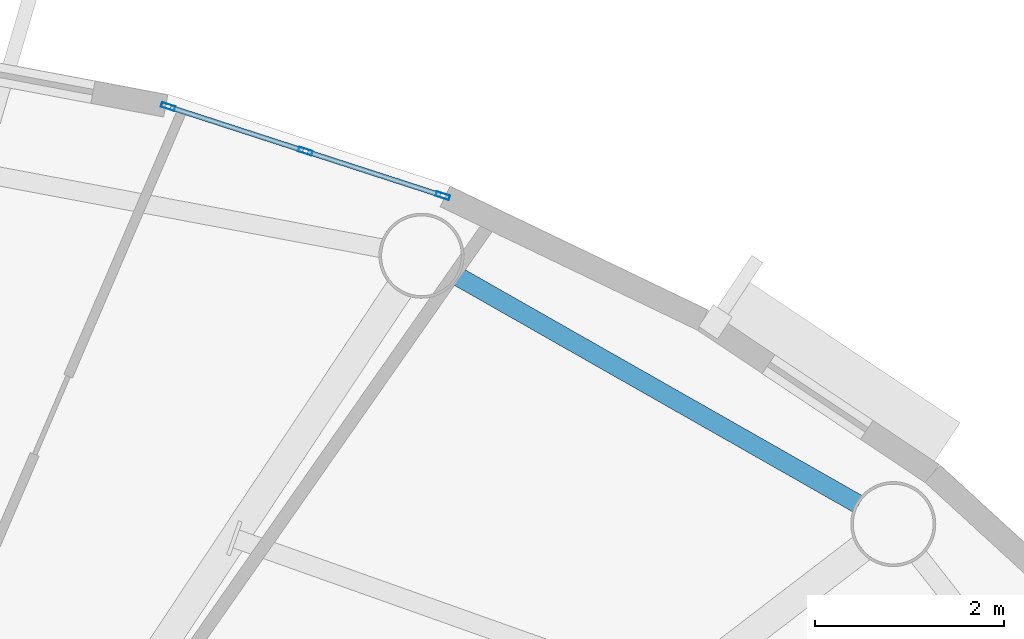
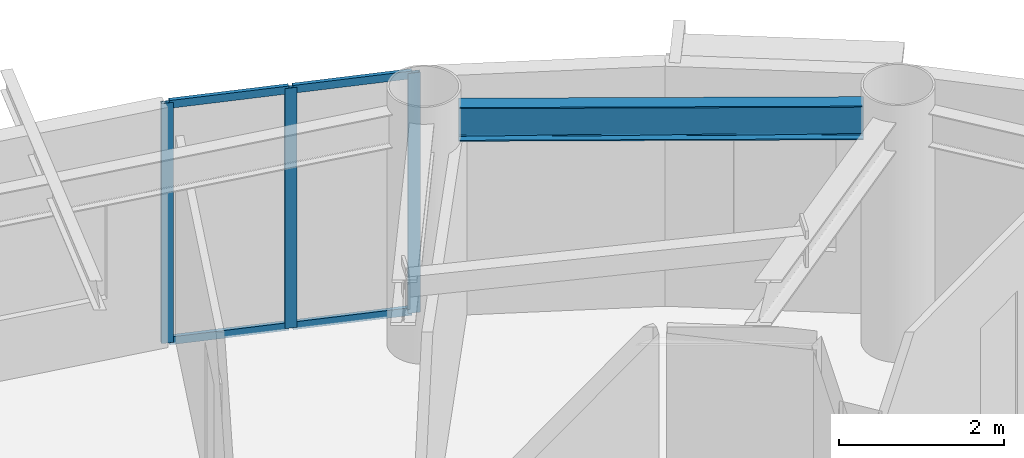
# One storey, part 3 of 17: 7 members, 1 beam, 1 element without a shape of its own.
"""IFC4 building model written with IfcOpenShell, lengths in metres."""

from ifc_helpers import new_model, si_unit, direction, frame, origin, origin_2d, place, context, subcontext, project, spatial, hollow_rectangle, i_section, extrude, source, transform, mapped, material, layer, layer_set, material_profile, profile_set, type_object, element, aggregate, save


model = new_model("IFC4")

# Units and contexts
model_context = context("Model", 3, precision=1e-05, world=origin(), true_north=direction((0.0, 1.0)))
body_context = subcontext(model_context, "Body", "Model", "MODEL_VIEW")
ifc_project = project(units=[si_unit("LENGTHUNIT", "METRE"), si_unit("AREAUNIT", "SQUARE_METRE"), si_unit("VOLUMEUNIT", "CUBIC_METRE"), si_unit("PLANEANGLEUNIT", "RADIAN"), si_unit("MASSUNIT", "GRAM", prefix="KILO")], contexts=[model_context])

# Site, building, storey
site_placement = place(None, origin())
site = spatial("IfcSite", under=ifc_project, at=site_placement, CompositionType="ELEMENT")
building_placement = place(site_placement, origin())
building = spatial("IfcBuilding", under=site, at=building_placement, Name="Linh Dai School and Residence Tower", CompositionType="ELEMENT")
storey_placement = place(building_placement, frame((0.0, 0.0, 331.60009765625)))
storey = spatial("IfcBuildingStorey", under=building, at=storey_placement, Name="L82", CompositionType="ELEMENT", Elevation=331.60009765625)

# Beam
ifc_material_1 = material(Name="Structural Steel S355JR", Category="steel")
ifc_material_profile_1 = material_profile(ifc_material_1, i_section(OverallWidth=0.199951171875, OverallDepth=0.5, WebThickness=0.01025390625, FlangeThickness=0.01611328125, FilletRadius=0.02099609375, at=origin_2d()), Name="IPE 500")
ifc_profile_set_1 = profile_set([ifc_material_profile_1], Name="Structural Steel S355JR")
beam_type = type_object("IfcBeamType", Name="BM-RB50", PredefinedType="BEAM", material=ifc_profile_set_1)
beam_placement = place(storey_placement, frame((49.637451171875, 37.930419921875, 3.2998046875), z_axis=(-0.86923725405, 0.494395182189, 0.0), x_axis=(-0.494395182189, -0.86923725405, 0.0)))
element("IfcBeam", 1, at=beam_placement, inside=storey, type_object=beam_type, Name="L82 Perimeter Elliptical Ring Beam 03", PredefinedType="BEAM", context=body_context, shape_type="SweptSolid", body=[
    extrude(i_section(OverallWidth=0.199951171875, OverallDepth=0.5, WebThickness=0.01025390625, FlangeThickness=0.01611328125, FilletRadius=0.02099609375, at=origin_2d()), origin(), (0.0, 0.0, 1.0), 4.903076171875),
])

# Curtain wall, members
ifc_material_2 = material(Name="Aluminium Anodised Curtain Wall", Category="aluminium")
ifc_layer = layer(ifc_material_2, 0.14990234375)
ifc_layer_set = layer_set([ifc_layer], Name="Aluminium Anodised Curtain Wall")
curtain_wall_type = type_object("IfcCurtainWallType", Name="CW-SYS-4", PredefinedType="USERDEFINED", material=ifc_layer_set)
curtain_wall_placement = place(storey_placement, origin())
curtain_wall = element("IfcCurtainWall", 2, at=curtain_wall_placement, inside=storey, type_object=curtain_wall_type, Name="L82 CW4 Curtain Wall 08", ObjectType="RIBBON CURTAIN WALL", PredefinedType="USERDEFINED")
ifc_material_3 = material(Name="Aluminium Alloy 6063-T6", Category="aluminium")
ifc_material_profile_2 = material_profile(ifc_material_3, hollow_rectangle(XDim=0.052001953125, YDim=0.114990234375, WallThickness=0.00390625, at=origin_2d()), Name="RHS 115x52x4")
ifc_profile_set_2 = profile_set([ifc_material_profile_2], Name="Aluminium Alloy 6063-T6")
member_type_1 = type_object("IfcMemberType", Name="CW-SYS-4-TRN", PredefinedType="USERDEFINED", material=ifc_profile_set_2)
shared_shape_1 = source(origin(), body_context, "Body", "SweptSolid", [
    extrude(hollow_rectangle(XDim=0.052001953125, YDim=0.114990234375, WallThickness=0.00390625, at=origin_2d()), origin(), (0.0, 0.0, 1.0), 1.47607421875),
])
member_1_placement = place(storey_placement, frame((42.353515625, 42.132080078125, 0.02587890625), z_axis=(0.951183457607, -0.308626035802, 0.0), x_axis=(0.308626035802, 0.951183457607, 0.0)))
member_1 = element("IfcMember", 3, at=member_1_placement, type_object=member_type_1, Name="CW4 transom 1.1", ObjectType="TRANSOM", PredefinedType="USERDEFINED", context=body_context, shape_type="MappedRepresentation", body=[
    mapped(shared_shape_1, transform((0.0, 0.0, 0.0), x_axis=(1.0, 0.0, 0.0), y_axis=(0.0, 1.0, 0.0), z_axis=(0.0, 0.0, 1.0), scale=1.0)),
])
member_2_placement = place(storey_placement, frame((42.353515625, 42.132080078125, 3.52392578125), z_axis=(0.951183457607, -0.308626035802, 0.0), x_axis=(0.308626035802, 0.951183457607, 0.0)))
member_2 = element("IfcMember", 4, at=member_2_placement, type_object=member_type_1, Name="CW4 transom 1.2", ObjectType="TRANSOM", PredefinedType="USERDEFINED", context=body_context, shape_type="MappedRepresentation", body=[
    mapped(shared_shape_1, transform((0.0, 0.0, 0.0), x_axis=(1.0, 0.0, 0.0), y_axis=(0.0, 1.0, 0.0), z_axis=(0.0, 0.0, 1.0), scale=1.0)),
])
member_3_placement = place(storey_placement, frame((43.806884765625, 41.660400390625, 0.02587890625), z_axis=(0.951232001503, -0.308476383725, 0.0), x_axis=(0.308476383725, 0.951232001503, 0.0)))
member_3 = element("IfcMember", 5, at=member_3_placement, type_object=member_type_1, Name="CW4 transom 2.1", ObjectType="TRANSOM", PredefinedType="USERDEFINED", context=body_context, shape_type="MappedRepresentation", body=[
    mapped(shared_shape_1, transform((0.0, 0.0, 0.0), x_axis=(1.0, 0.0, 0.0), y_axis=(0.0, 1.0, 0.0), z_axis=(0.0, 0.0, 1.0), scale=1.0)),
])
member_4_placement = place(storey_placement, frame((43.806884765625, 41.660400390625, 3.52392578125), z_axis=(0.951232001503, -0.308476383725, 0.0), x_axis=(0.308476383725, 0.951232001503, 0.0)))
member_4 = element("IfcMember", 6, at=member_4_placement, type_object=member_type_1, Name="CW4 transom 2.2", ObjectType="TRANSOM", PredefinedType="USERDEFINED", context=body_context, shape_type="MappedRepresentation", body=[
    mapped(shared_shape_1, transform((0.0, 0.0, 0.0), x_axis=(1.0, 0.0, 0.0), y_axis=(0.0, 1.0, 0.0), z_axis=(0.0, 0.0, 1.0), scale=1.0)),
])
ifc_material_profile_3 = material_profile(ifc_material_3, hollow_rectangle(XDim=0.052001953125, YDim=0.14990234375, WallThickness=0.00390625, at=origin_2d()), Name="RHS 150x52x4")
ifc_profile_set_3 = profile_set([ifc_material_profile_3], Name="Aluminium Alloy 6063-T6")
member_type_2 = type_object("IfcMemberType", Name="CW-SYS-4-MUL", PredefinedType="MULLION", material=ifc_profile_set_3)
shared_shape_2 = source(origin(), body_context, "Body", "SweptSolid", [
    extrude(hollow_rectangle(XDim=0.052001953125, YDim=0.14990234375, WallThickness=0.00390625, at=origin_2d()), origin(), (0.0, 0.0, 1.0), 3.5498046875),
])
member_5_placement = place(storey_placement, frame((42.328857421875, 42.14013671875, 0.0), z_axis=(0.0, 0.0, 1.0), x_axis=(0.30856528097, 0.951203168298, 0.0)))
member_5 = element("IfcMember", 7, at=member_5_placement, type_object=member_type_2, Name="CW4 mullion 1", PredefinedType="MULLION", context=body_context, shape_type="MappedRepresentation", body=[
    mapped(shared_shape_2, transform((0.0, 0.0, 0.0), x_axis=(1.0, 0.0, 0.0), y_axis=(0.0, 1.0, 0.0), z_axis=(0.0, 0.0, 1.0), scale=1.0)),
])
member_6_placement = place(storey_placement, frame((43.7822265625, 41.66845703125, 0.0), z_axis=(0.0, 0.0, 1.0), x_axis=(0.30856528097, 0.951203168298, 0.0)))
member_6 = element("IfcMember", 8, at=member_6_placement, type_object=member_type_2, Name="CW4 mullion 2", PredefinedType="MULLION", context=body_context, shape_type="MappedRepresentation", body=[
    mapped(shared_shape_2, transform((0.0, 0.0, 0.0), x_axis=(1.0, 0.0, 0.0), y_axis=(0.0, 1.0, 0.0), z_axis=(0.0, 0.0, 1.0), scale=1.0)),
])
member_7_placement = place(storey_placement, frame((45.23583984375, 41.197021484375, 0.0), z_axis=(0.0, 0.0, 1.0), x_axis=(0.30856528097, 0.951203168298, 0.0)))
member_7 = element("IfcMember", 9, at=member_7_placement, type_object=member_type_2, Name="CW4 mullion 3", PredefinedType="MULLION", context=body_context, shape_type="MappedRepresentation", body=[
    mapped(shared_shape_2, transform((0.0, 0.0, 0.0), x_axis=(1.0, 0.0, 0.0), y_axis=(0.0, 1.0, 0.0), z_axis=(0.0, 0.0, 1.0), scale=1.0)),
])
aggregate(curtain_wall, [member_5, member_6, member_7, member_1, member_2, member_3, member_4])

save(model, "model.ifc")
